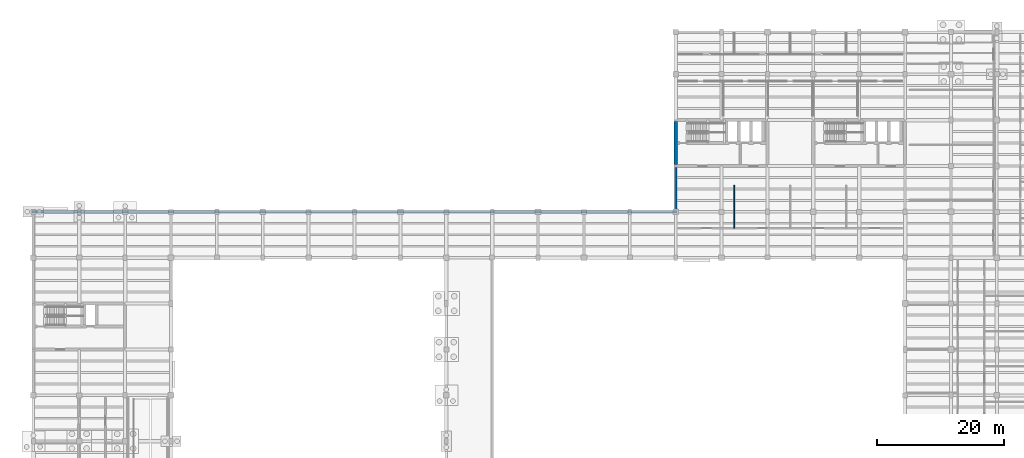
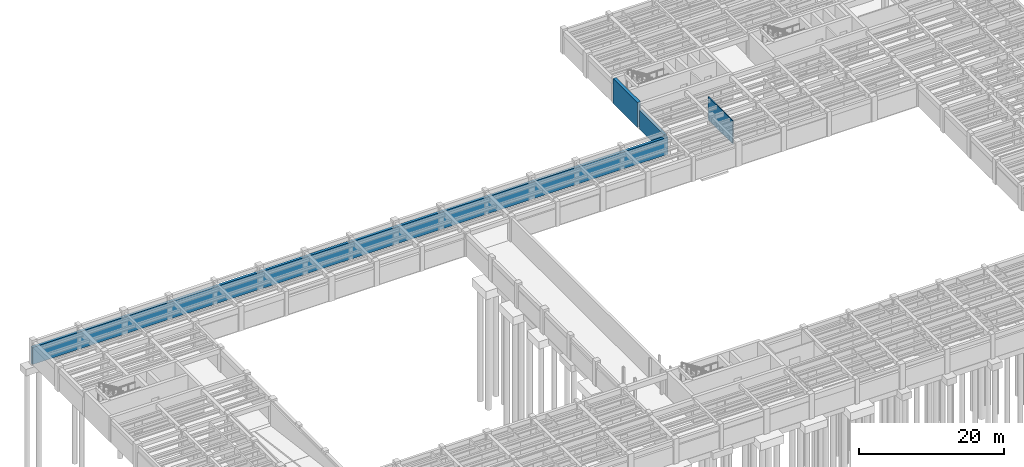
# One storey, part 21 of 33: 4 walls.
"""IFC4 building model written with IfcOpenShell, lengths in metres."""

from ifc_helpers import new_model, si_unit, direction, frame, frame_2d, origin, place, context, subcontext, project, spatial, rectangle, extrude, material, layer, layer_set, type_object, element, save


model = new_model("IFC4")

# Units and contexts
model_context = context("Model", 3, precision=1e-05, world=origin(), true_north=direction((0.0, 1.0)))
body_context = subcontext(model_context, "Body", "Model", "MODEL_VIEW")
ifc_project = project(units=[si_unit("LENGTHUNIT", "METRE"), si_unit("AREAUNIT", "SQUARE_METRE"), si_unit("VOLUMEUNIT", "CUBIC_METRE"), si_unit("PLANEANGLEUNIT", "RADIAN"), si_unit("MASSUNIT", "GRAM", prefix="KILO")], contexts=[model_context])

# Site, building, storey
site_placement = place(None, origin())
site = spatial("IfcSite", under=ifc_project, at=site_placement, CompositionType="ELEMENT")
building_placement = place(site_placement, origin())
building = spatial("IfcBuilding", under=site, at=building_placement, Name="Mithqara Police Headquarters", CompositionType="ELEMENT")
storey_placement = place(building_placement, frame((0.0, 0.0, -4.199951171875)))
storey = spatial("IfcBuildingStorey", under=building, at=storey_placement, Name="B1", CompositionType="ELEMENT", Elevation=-4.199951171875)

# Walls
ifc_material_1 = material(Name="Gypsum acoustic stud partition", Category="gypsum")
ifc_layer_1 = layer(ifc_material_1, 0.159912109375, Name="Gypsum acoustic stud partition")
ifc_layer_set_1 = layer_set([ifc_layer_1], Name="Gypsum acoustic stud partition")
wall_type_1 = type_object("IfcWallType", Name="PART WALL 160", PredefinedType="PARTITIONING", material=ifc_layer_set_1)
wall_1_placement = place(storey_placement, frame((117.81005859375, 83.219970703125, 0.0), z_axis=(0.0, 0.0, 1.0), x_axis=(0.0, 1.0, 0.0)))
element("IfcWall", 1, at=wall_1_placement, inside=storey, type_object=wall_type_1, Name="B1 Room Partition Patrol Car Park", PredefinedType="PARTITIONING", context=body_context, shape_type="SweptSolid", body=[
    extrude(rectangle(XDim=6.780029296875, YDim=0.159912109375, at=frame_2d((3.39013671875, 0.0))), origin(), (0.0, 0.0, 1.0), 3.8798828125),
])
ifc_material_2 = material(Name="Concrete C40/50", Category="concrete")
ifc_layer_2 = layer(ifc_material_2, 0.419921875, Name="Concrete C40/50")
ifc_layer_set_2 = layer_set([ifc_layer_2], Name="Concrete C40/50")
wall_type_2 = type_object("IfcWallType", Name="RETAINING WALL 420", PredefinedType="USERDEFINED", material=ifc_layer_set_2)
wall_2_placement = place(storey_placement, frame((7.590087890625, 85.800048828125, 0.0), z_axis=(0.0, 0.0, 1.0), x_axis=(1.0, 0.0, 0.0)))
element("IfcWall", 2, at=wall_2_placement, inside=storey, type_object=wall_type_2, Name="B1 Perimeter Retaining Wall 6", ObjectType="RETAININGWALL", PredefinedType="USERDEFINED", context=body_context, shape_type="SweptSolid", body=[
    extrude(rectangle(XDim=101.219970703125, YDim=0.419921875, at=frame_2d((50.60986328125, 0.0))), origin(), (0.0, 0.0, 1.0), 2.8798828125),
])
wall_3_placement = place(storey_placement, frame((108.60009765625, 86.0, 0.0), z_axis=(0.0, 0.0, 1.0), x_axis=(0.0, 1.0, 0.0)))
element("IfcWall", 3, at=wall_3_placement, inside=storey, type_object=wall_type_2, Name="B1 Perimeter Retaining Wall 7", ObjectType="RETAININGWALL", PredefinedType="USERDEFINED", context=body_context, shape_type="SweptSolid", body=[
    extrude(rectangle(XDim=6.77001953125, YDim=0.419921875, at=frame_2d((3.385009765625, 0.0))), origin(), (0.0, 0.0, 1.0), 3.179931640625),
])
ifc_material_3 = material(Name="Concrete C50/60", Category="concrete")
ifc_layer_3 = layer(ifc_material_3, 0.5, Name="Concrete C50/60")
ifc_layer_set_3 = layer_set([ifc_layer_3], Name="Concrete C50/60")
wall_type_3 = type_object("IfcWallType", Name="SHEAR WALL 500", PredefinedType="SHEAR", material=ifc_layer_set_3)
wall_4_placement = place(storey_placement, frame((108.60009765625, 93.260009765625, 0.0), z_axis=(0.0, 0.0, 1.0), x_axis=(0.0, 1.0, 0.0)))
element("IfcWall", 4, at=wall_4_placement, inside=storey, type_object=wall_type_3, Name="Core C1 Command West Shear Wall W", PredefinedType="SHEAR", context=body_context, shape_type="SweptSolid", body=[
    extrude(rectangle(XDim=6.679931640625, YDim=0.5, at=frame_2d((3.33984375, 0.0))), origin(), (0.0, 0.0, 1.0), 4.199951171875),
])

save(model, "model.ifc")
